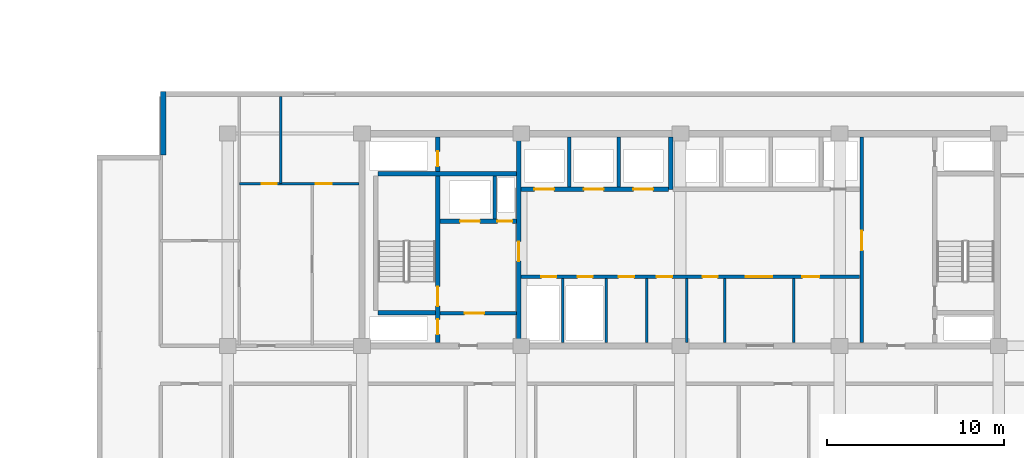
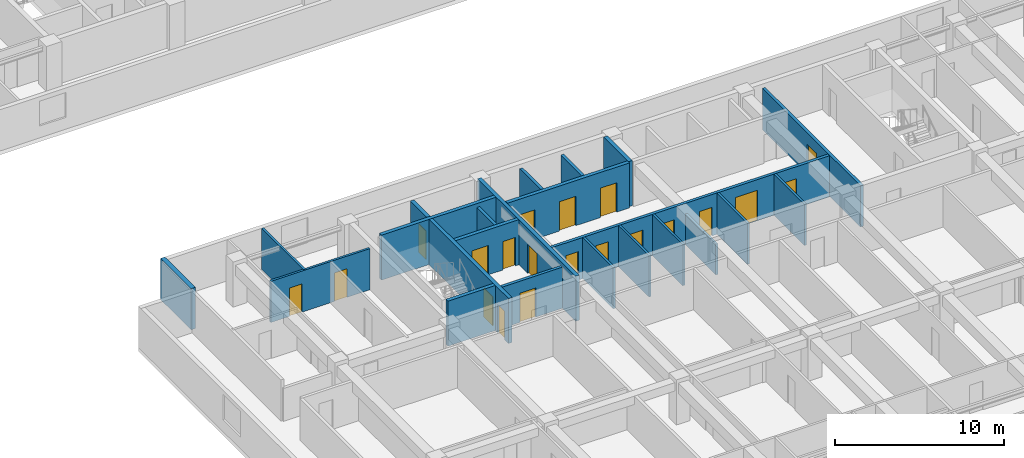
# One storey, part 6 of 23: 22 walls, 20 doors, 20 openings.
"""IFC4 building model written with IfcOpenShell, lengths in metres."""

from ifc_helpers import new_model, si_unit, direction, frame, frame_2d, origin, place, context, subcontext, project, spatial, rectangle, extrude, material, layer, layer_set, type_object, element, fill, save


model = new_model("IFC4")

# Units and contexts
model_context = context("Model", 3, precision=1e-05, world=origin(), true_north=direction((0.0, 1.0)))
body_context = subcontext(model_context, "Body", "Model", "MODEL_VIEW")
ifc_project = project(units=[si_unit("LENGTHUNIT", "METRE"), si_unit("AREAUNIT", "SQUARE_METRE"), si_unit("VOLUMEUNIT", "CUBIC_METRE"), si_unit("PLANEANGLEUNIT", "RADIAN"), si_unit("MASSUNIT", "GRAM", prefix="KILO")], contexts=[model_context])

# Site, building, storey
site_placement = place(None, origin())
site = spatial("IfcSite", under=ifc_project, at=site_placement, CompositionType="ELEMENT")
building_placement = place(site_placement, origin())
building = spatial("IfcBuilding", under=site, at=building_placement, Name="Korimba Cascade Residences", CompositionType="ELEMENT")
storey_placement = place(building_placement, frame((0.0, 0.0, 46.75)))
storey = spatial("IfcBuildingStorey", under=building, at=storey_placement, Name="L12", CompositionType="ELEMENT", Elevation=46.75)

# Walls
ifc_material_1 = material(Name="Precast concrete C40/50", Category="concrete")
ifc_layer_1 = layer(ifc_material_1, 0.300048828125)
ifc_layer_set_1 = layer_set([ifc_layer_1], Name="Precast concrete C40/50")
wall_type_1 = type_object("IfcWallType", Name="EW-STONE-300", PredefinedType="STANDARD", material=ifc_layer_set_1)
wall_1_placement = place(storey_placement, frame((70.85009765625, 32.800048828125, 0.0), z_axis=(0.0, 0.0, 1.0), x_axis=(0.0, -1.0, 0.0)))
element("IfcWall", 1, at=wall_1_placement, inside=storey, type_object=wall_type_1, Name="L12 T2 Perimeter Stone Wall E07", PredefinedType="STANDARD", context=body_context, shape_type="SweptSolid", body=[
    extrude(rectangle(XDim=3.60009765625, YDim=0.300048828125, at=frame_2d((1.800048828125, 0.0))), origin(), (0.0, 0.0, 1.0), 2.969970703125),
])
ifc_material_2 = material(Name="Insulated Acoustic Stud Partition", Category="gypsum")
ifc_layer_2 = layer(ifc_material_2, 0.14990234375)
ifc_layer_set_2 = layer_set([ifc_layer_2], Name="Insulated Acoustic Stud Partition")
wall_type_2 = type_object("IfcWallType", Name="WAL-PART-150", PredefinedType="PARTITIONING", material=ifc_layer_set_2)
for number, where, z_axis, x_axis, name in (
    (2, (93.449951171875, 18.60009765625, 0.0), (0.0, 0.0, 1.0), (0.0, 1.0, 0.0), "L12 Partition Wall CW-L12-T2-ERDIV"),
    (3, (95.89990234375, 18.60009765625, 0.0), (0.0, 0.0, 1.0), (0.0, 1.0, 0.0), "L12 Partition Wall CW-L12-T2-PRDIV"),
    (4, (98.199951171875, 18.60009765625, 0.0), (0.0, 0.0, 1.0), (0.0, 1.0, 0.0), "L12 Partition Wall CW-L12-T2-CA1W1"),
):
    element("IfcWall", number, at=place(storey_placement, frame(where, z_axis=z_axis, x_axis=x_axis)), inside=storey, type_object=wall_type_2, Name=name, PredefinedType="PARTITIONING", context=body_context, shape_type="SweptSolid", body=[
        extrude(rectangle(XDim=3.599853515625, YDim=0.14990234375, at=frame_2d((1.7998046875, 0.0))), origin(), (0.0, 0.0, 1.0), 2.969970703125),
    ])
wall_2_placement = place(storey_placement, frame((100.449951171875, 18.60009765625, 0.0), z_axis=(0.0, 0.0, 1.0), x_axis=(0.0, 1.0, 0.0)))
element("IfcWall", 5, at=wall_2_placement, inside=storey, type_object=wall_type_2, Name="L12 Partition Wall CW-L12-T2-CA1W2", PredefinedType="PARTITIONING", context=body_context, shape_type="SweptSolid", body=[
    extrude(rectangle(XDim=3.599853515625, YDim=0.14990234375, at=frame_2d((1.7998046875, 0.0))), origin(), (0.0, 0.0, 1.0), 2.219970703125),
])
for number, where, z_axis, x_axis, name in (
    (6, (102.60009765625, 18.60009765625, 0.0), (0.0, 0.0, 1.0), (0.0, 1.0, 0.0), "L12 Partition Wall CW-L12-T2-THW"),
    (7, (106.5, 18.60009765625, 0.0), (0.0, 0.0, 1.0), (0.0, 1.0, 0.0), "L12 Partition Wall CW-L12-T2-THE"),
):
    element("IfcWall", number, at=place(storey_placement, frame(where, z_axis=z_axis, x_axis=x_axis)), inside=storey, type_object=wall_type_2, Name=name, PredefinedType="PARTITIONING", context=body_context, shape_type="SweptSolid", body=[
        extrude(rectangle(XDim=3.599853515625, YDim=0.14990234375, at=frame_2d((1.7998046875, 0.0))), origin(), (0.0, 0.0, 1.0), 2.969970703125),
    ])
wall_3_placement = place(storey_placement, frame((77.5, 27.570068359375, 0.0), z_axis=(0.0, 0.0, 1.0), x_axis=(0.0, 1.0, 0.0)))
element("IfcWall", 8, at=wall_3_placement, inside=storey, type_object=wall_type_2, Name="L12 Partition Wall WAL-L12-T2-FW-VN", PredefinedType="PARTITIONING", context=body_context, shape_type="SweptSolid", body=[
    extrude(rectangle(XDim=4.929931640625, YDim=0.14990234375, at=frame_2d((2.46484375, 0.0))), origin(), (0.0, 0.0, 1.0), 2.969970703125),
])

# Wall, openings, doors
wall_4_placement = place(storey_placement, frame((75.169921875, 27.570068359375, 0.0), z_axis=(0.0, 0.0, 1.0), x_axis=(1.0, 0.0, 0.0)))
wall_4 = element("IfcWall", 9, at=wall_4_placement, inside=storey, type_object=wall_type_2, Name="L12 Partition Wall WAL-L12-T2-FW-H", PredefinedType="PARTITIONING", context=body_context, shape_type="SweptSolid", body=[
    extrude(rectangle(XDim=6.760009765625, YDim=0.14990234375, at=frame_2d((3.3798828125, 0.0))), origin(), (0.0, 0.0, 1.0), 2.969970703125),
])
opening_1_placement = place(wall_4_placement, frame((1.266357421875, 0.0, 0.0)))
opening_1 = element("IfcOpeningElement", 10, at=opening_1_placement, cuts=wall_4, Name="Opening D-BT1", PredefinedType="OPENING", context=body_context, shape_type="SweptSolid", body=[
    extrude(rectangle(XDim=0.840087890625, YDim=2.0400390625, at=frame_2d((0.419921875, 1.02001953125))), frame((0.0, 0.0849609375, 0.0), z_axis=(0.0, -1.0, 0.0), x_axis=(1.0, 0.0, 0.0)), (0.0, 0.0, 1.0), 0.169921875),
])
opening_2_placement = place(wall_4_placement, frame((4.320068359375, 0.0, 0.0)))
opening_2 = element("IfcOpeningElement", 11, at=opening_2_placement, cuts=wall_4, Name="Opening D-IN2", PredefinedType="OPENING", context=body_context, shape_type="SweptSolid", body=[
    extrude(rectangle(XDim=0.8798828125, YDim=2.06005859375, at=frame_2d((0.43994140625, 1.030029296875))), frame((0.0, 0.0849609375, 0.0), z_axis=(0.0, -1.0, 0.0), x_axis=(1.0, 0.0, 0.0)), (0.0, 0.0, 1.0), 0.169921875),
])
ifc_material_3 = material(Name="Moisture-Resistant Bathroom Timber Door", Category="wood")
door_type_1 = type_object("IfcDoorType", Name="DR-INT-850", OperationType="NOTDEFINED", PredefinedType="DOOR", material=ifc_material_3)
door_1_placement = place(opening_1_placement, origin())
door_1 = element("IfcDoor", 12, at=door_1_placement, inside=storey, type_object=door_type_1, Name="L12-T2-FW Bathroom Door", OperationType="SINGLE_SWING_RIGHT", OverallHeight=2.0400390625, OverallWidth=0.840087890625, PredefinedType="DOOR", context=body_context, shape_type="SweptSolid", body=[
    extrude(rectangle(XDim=0.840087890625, YDim=2.0400390625, at=frame_2d((0.419921875, 1.02001953125))), frame((0.0, 0.02490234375, 0.0), z_axis=(0.0, -1.0, 0.0), x_axis=(1.0, 0.0, 0.0)), (0.0, 0.0, 1.0), 0.050048828125),
])
fill(opening_1, door_1)
ifc_material_4 = material(Name="Acoustic Timber Bedroom Door", Category="wood")
door_type_2 = type_object("IfcDoorType", Name="DR-INT-880", OperationType="NOTDEFINED", PredefinedType="DOOR", material=ifc_material_4)
door_2_placement = place(opening_2_placement, origin())
door_2 = element("IfcDoor", 13, at=door_2_placement, inside=storey, type_object=door_type_2, Name="L12-T2-FW Bedroom Door", OperationType="SINGLE_SWING_LEFT", OverallHeight=2.06005859375, OverallWidth=0.8798828125, PredefinedType="DOOR", context=body_context, shape_type="SweptSolid", body=[
    extrude(rectangle(XDim=0.8798828125, YDim=2.06005859375, at=frame_2d((0.43994140625, 1.030029296875))), frame((0.0, 0.02490234375, 0.0), z_axis=(0.0, -1.0, 0.0), x_axis=(1.0, 0.0, 0.0)), (0.0, 0.0, 1.0), 0.050048828125),
])
fill(opening_2, door_2)

# Wall
ifc_material_5 = material(Name="Concrete C40/50", Category="concrete")
ifc_layer_3 = layer(ifc_material_5, 0.199951171875)
ifc_layer_set_3 = layer_set([ifc_layer_3], Name="Concrete C40/50")
wall_type_3 = type_object("IfcWallType", Name="WAL-PART-200", PredefinedType="PARTITIONING", material=ifc_layer_set_3)
wall_5_placement = place(storey_placement, frame((89.60009765625, 25.580078125, 0.0), z_axis=(0.0, 0.0, 1.0), x_axis=(0.0, 1.0, 0.0)))
element("IfcWall", 14, at=wall_5_placement, inside=storey, type_object=wall_type_3, Name="L12 Partition Wall CW-L12-T2-FFLDIV", PredefinedType="PARTITIONING", context=body_context, shape_type="SweptSolid", body=[
    extrude(rectangle(XDim=2.419921875, YDim=0.199951171875, at=frame_2d((1.2099609375, 0.0))), origin(), (0.0, 0.0, 1.0), 2.969970703125),
])

# Wall, opening, door
wall_6_placement = place(storey_placement, frame((86.5, 20.25, 0.0), z_axis=(0.0, 0.0, 1.0), x_axis=(1.0, 0.0, 0.0)))
wall_6 = element("IfcWall", 15, at=wall_6_placement, inside=storey, type_object=wall_type_3, Name="L12 Partition Wall CW-L12-T2-FFLS", PredefinedType="PARTITIONING", context=body_context, shape_type="SweptSolid", body=[
    extrude(rectangle(XDim=4.320068359375, YDim=0.199951171875, at=frame_2d((2.16015625, 0.0))), origin(), (0.0, 0.0, 1.0), 2.969970703125),
])
opening_3_placement = place(wall_6_placement, frame((1.39990234375, 0.0, 0.0)))
opening_3 = element("IfcOpeningElement", 16, at=opening_3_placement, cuts=wall_6, Name="Opening D-FD1", PredefinedType="OPENING", context=body_context, shape_type="SweptSolid", body=[
    extrude(rectangle(XDim=1.10009765625, YDim=2.10009765625, at=frame_2d((0.550048828125, 1.050048828125))), frame((0.0, 0.10986328125, 0.0), z_axis=(0.0, -1.0, 0.0), x_axis=(1.0, 0.0, 0.0)), (0.0, 0.0, 1.0), 0.219970703125),
])
ifc_material_6 = material(Name="Fire-Rated Steel Core Door", Category="steel")
door_type_3 = type_object("IfcDoorType", Name="DR-FD120-1100", OperationType="NOTDEFINED", PredefinedType="DOOR", material=ifc_material_6)
door_3_placement = place(opening_3_placement, origin())
door_3 = element("IfcDoor", 17, at=door_3_placement, inside=storey, type_object=door_type_3, Name="L12 T2 Firefighting Lobby Door", OperationType="SINGLE_SWING_RIGHT", OverallHeight=2.10009765625, OverallWidth=1.10009765625, PredefinedType="DOOR", context=body_context, shape_type="SweptSolid", body=[
    extrude(rectangle(XDim=1.10009765625, YDim=2.10009765625, at=frame_2d((0.550048828125, 1.050048828125))), frame((0.0, 0.02490234375, 0.0), z_axis=(0.0, -1.0, 0.0), x_axis=(1.0, 0.0, 0.0)), (0.0, 0.0, 1.0), 0.050048828125),
])
fill(opening_3, door_3)

# Walls
for number, where, z_axis, x_axis, name in (
    (18, (93.800048828125, 27.3798828125, 0.0), (0.0, 0.0, 1.0), (0.0, 1.0, 0.0), "L12 Partition Wall CW-L12-T2-B1D1"),
    (19, (96.60009765625, 27.3798828125, 0.0), (0.0, 0.0, 1.0), (0.0, 1.0, 0.0), "L12 Partition Wall CW-L12-T2-B1D2"),
):
    element("IfcWall", number, at=place(storey_placement, frame(where, z_axis=z_axis, x_axis=x_axis)), inside=storey, type_object=wall_type_3, Name=name, PredefinedType="PARTITIONING", context=body_context, shape_type="SweptSolid", body=[
        extrude(rectangle(XDim=2.820068359375, YDim=0.199951171875, at=frame_2d((1.41015625, 0.0))), origin(), (0.0, 0.0, 1.0), 2.969970703125),
    ])

# Wall, openings, doors
wall_7_placement = place(storey_placement, frame((91.080078125, 22.300048828125, 0.0), z_axis=(0.0, 0.0, 1.0), x_axis=(1.0, 0.0, 0.0)))
wall_7 = element("IfcWall", 20, at=wall_7_placement, inside=storey, type_object=wall_type_3, Name="L12 Partition Wall CW-L12-T2-SRVROW", PredefinedType="PARTITIONING", context=body_context, shape_type="SweptSolid", body=[
    extrude(rectangle(XDim=19.139892578125, YDim=0.199951171875, at=frame_2d((9.56982421875, 0.0))), origin(), (0.0, 0.0, 1.0), 2.969970703125),
])
opening_4_placement = place(wall_7_placement, frame((1.14990234375, 0.0, 0.0)))
opening_4 = element("IfcOpeningElement", 21, at=opening_4_placement, cuts=wall_7, Name="Opening D-RS1", PredefinedType="OPENING", context=body_context, shape_type="SweptSolid", body=[
    extrude(rectangle(XDim=0.85009765625, YDim=2.050048828125, at=frame_2d((0.425048828125, 1.02490234375))), frame((0.0, 0.10986328125, 0.0), z_axis=(0.0, -1.0, 0.0), x_axis=(1.0, 0.0, 0.0)), (0.0, 0.0, 1.0), 0.219970703125),
])
opening_5_placement = place(wall_7_placement, frame((3.199951171875, 0.0, 0.0)))
opening_5 = element("IfcOpeningElement", 22, at=opening_5_placement, cuts=wall_7, Name="Opening D-RS1", PredefinedType="OPENING", context=body_context, shape_type="SweptSolid", body=[
    extrude(rectangle(XDim=0.85009765625, YDim=2.050048828125, at=frame_2d((0.425048828125, 1.02490234375))), frame((0.0, 0.10986328125, 0.0), z_axis=(0.0, -1.0, 0.0), x_axis=(1.0, 0.0, 0.0)), (0.0, 0.0, 1.0), 0.219970703125),
])
opening_6_placement = place(wall_7_placement, frame((12.719970703125, 0.0, 0.0)))
opening_6 = element("IfcOpeningElement", 23, at=opening_6_placement, cuts=wall_7, Name="Opening D-FD8", PredefinedType="OPENING", context=body_context, shape_type="SweptSolid", body=[
    extrude(rectangle(XDim=1.5, YDim=2.199951171875, at=frame_2d((0.75, 1.10009765625))), frame((0.0, 0.10986328125, 0.0), z_axis=(0.0, -1.0, 0.0), x_axis=(1.0, 0.0, 0.0)), (0.0, 0.0, 1.0), 0.219970703125),
])
opening_7_placement = place(wall_7_placement, frame((5.52001953125, 0.0, 0.0)))
opening_7 = element("IfcOpeningElement", 24, at=opening_7_placement, cuts=wall_7, Name="Opening D-IN2", PredefinedType="OPENING", context=body_context, shape_type="SweptSolid", body=[
    extrude(rectangle(XDim=0.8798828125, YDim=2.06005859375, at=frame_2d((0.43994140625, 1.030029296875))), frame((0.0, 0.10986328125, 0.0), z_axis=(0.0, -1.0, 0.0), x_axis=(1.0, 0.0, 0.0)), (0.0, 0.0, 1.0), 0.219970703125),
])
opening_8_placement = place(wall_7_placement, frame((7.669921875, 0.0, 0.0)))
opening_8 = element("IfcOpeningElement", 25, at=opening_8_placement, cuts=wall_7, Name="Opening D-IN2", PredefinedType="OPENING", context=body_context, shape_type="SweptSolid", body=[
    extrude(rectangle(XDim=0.8798828125, YDim=2.06005859375, at=frame_2d((0.43994140625, 1.030029296875))), frame((0.0, 0.10986328125, 0.0), z_axis=(0.0, -1.0, 0.0), x_axis=(1.0, 0.0, 0.0)), (0.0, 0.0, 1.0), 0.219970703125),
])
opening_9_placement = place(wall_7_placement, frame((10.27001953125, 0.0, 0.0)))
opening_9 = element("IfcOpeningElement", 26, at=opening_9_placement, cuts=wall_7, Name="Opening D-RS1", PredefinedType="OPENING", context=body_context, shape_type="SweptSolid", body=[
    extrude(rectangle(XDim=0.85009765625, YDim=2.050048828125, at=frame_2d((0.425048828125, 1.02490234375))), frame((0.0, 0.10986328125, 0.0), z_axis=(0.0, -1.0, 0.0), x_axis=(1.0, 0.0, 0.0)), (0.0, 0.0, 1.0), 0.219970703125),
])
opening_10_placement = place(wall_7_placement, frame((15.919921875, 0.0, 0.0)))
opening_10 = element("IfcOpeningElement", 27, at=opening_10_placement, cuts=wall_7, Name="Opening D-AC1", PredefinedType="OPENING", context=body_context, shape_type="SweptSolid", body=[
    extrude(rectangle(XDim=0.9599609375, YDim=2.10009765625, at=frame_2d((0.47998046875, 1.050048828125))), frame((0.0, 0.10986328125, 0.0), z_axis=(0.0, -1.0, 0.0), x_axis=(1.0, 0.0, 0.0)), (0.0, 0.0, 1.0), 0.219970703125),
])
ifc_material_7 = material(Name="Accessible Acoustic Timber WC Door", Category="wood")
door_type_4 = type_object("IfcDoorType", Name="DR-ACC-950", OperationType="NOTDEFINED", PredefinedType="DOOR", material=ifc_material_7)
door_4_placement = place(opening_10_placement, origin())
door_4 = element("IfcDoor", 28, at=door_4_placement, inside=storey, type_object=door_type_4, Name="L12 T2 Accessible Staff WC Door", OperationType="SINGLE_SWING_RIGHT", OverallHeight=2.10009765625, OverallWidth=0.9599609375, PredefinedType="DOOR", context=body_context, shape_type="SweptSolid", body=[
    extrude(rectangle(XDim=0.9599609375, YDim=2.10009765625, at=frame_2d((0.47998046875, 1.050048828125))), frame((0.0, 0.02490234375, 0.0), z_axis=(0.0, -1.0, 0.0), x_axis=(1.0, 0.0, 0.0)), (0.0, 0.0, 1.0), 0.050048828125),
])
fill(opening_10, door_4)
ifc_material_8 = material(Name="Fire-Rated Steel Riser Access Door", Category="steel")
door_type_5 = type_object("IfcDoorType", Name="DR-FD60-850", OperationType="NOTDEFINED", PredefinedType="DOOR", material=ifc_material_8)
door_5_placement = place(opening_4_placement, origin())
door_5 = element("IfcDoor", 29, at=door_5_placement, inside=storey, type_object=door_type_5, Name="L12 T2 Electrical Riser Door", OperationType="SINGLE_SWING_LEFT", OverallHeight=2.050048828125, OverallWidth=0.85009765625, PredefinedType="DOOR", context=body_context, shape_type="SweptSolid", body=[
    extrude(rectangle(XDim=0.85009765625, YDim=2.050048828125, at=frame_2d((0.425048828125, 1.02490234375))), frame((0.0, 0.02490234375, 0.0), z_axis=(0.0, -1.0, 0.0), x_axis=(1.0, 0.0, 0.0)), (0.0, 0.0, 1.0), 0.050048828125),
])
fill(opening_4, door_5)
door_6_placement = place(opening_5_placement, origin())
door_6 = element("IfcDoor", 30, at=door_6_placement, inside=storey, type_object=door_type_5, Name="L12 T2 Plumbing Riser Door", OperationType="SINGLE_SWING_RIGHT", OverallHeight=2.050048828125, OverallWidth=0.85009765625, PredefinedType="DOOR", context=body_context, shape_type="SweptSolid", body=[
    extrude(rectangle(XDim=0.85009765625, YDim=2.050048828125, at=frame_2d((0.425048828125, 1.02490234375))), frame((0.0, 0.02490234375, 0.0), z_axis=(0.0, -1.0, 0.0), x_axis=(1.0, 0.0, 0.0)), (0.0, 0.0, 1.0), 0.050048828125),
])
fill(opening_5, door_6)
door_7_placement = place(opening_9_placement, origin())
door_7 = element("IfcDoor", 31, at=door_7_placement, inside=storey, type_object=door_type_5, Name="L12 T2 IT Room Door", OperationType="SINGLE_SWING_LEFT", OverallHeight=2.050048828125, OverallWidth=0.85009765625, PredefinedType="DOOR", context=body_context, shape_type="SweptSolid", body=[
    extrude(rectangle(XDim=0.85009765625, YDim=2.050048828125, at=frame_2d((0.425048828125, 1.02490234375))), frame((0.0, 0.02490234375, 0.0), z_axis=(0.0, -1.0, 0.0), x_axis=(1.0, 0.0, 0.0)), (0.0, 0.0, 1.0), 0.050048828125),
])
fill(opening_9, door_7)
ifc_material_9 = material(Name="Fire-Rated Glazed Lift Lobby Double Door", Category="glass")
door_type_6 = type_object("IfcDoorType", Name="DR-FD90-1500", OperationType="NOTDEFINED", PredefinedType="DOOR", material=ifc_material_9)
door_8_placement = place(opening_6_placement, origin())
door_8 = element("IfcDoor", 32, at=door_8_placement, inside=storey, type_object=door_type_6, Name="L12 T2 Lift Lobby Foyer Door", OperationType="DOUBLE_DOOR_SINGLE_SWING", OverallHeight=2.199951171875, OverallWidth=1.5, PredefinedType="DOOR", context=body_context, shape_type="SweptSolid", body=[
    extrude(rectangle(XDim=1.5, YDim=2.199951171875, at=frame_2d((0.75, 1.10009765625))), frame((0.0, 0.02490234375, 0.0), z_axis=(0.0, -1.0, 0.0), x_axis=(1.0, 0.0, 0.0)), (0.0, 0.0, 1.0), 0.050048828125),
])
fill(opening_6, door_8)
door_9_placement = place(opening_7_placement, origin())
door_9 = element("IfcDoor", 33, at=door_9_placement, inside=storey, type_object=door_type_2, Name="L12 T2 Cleaners Door", OperationType="SINGLE_SWING_LEFT", OverallHeight=2.06005859375, OverallWidth=0.8798828125, PredefinedType="DOOR", context=body_context, shape_type="SweptSolid", body=[
    extrude(rectangle(XDim=0.8798828125, YDim=2.06005859375, at=frame_2d((0.43994140625, 1.030029296875))), frame((0.0, 0.02490234375, 0.0), z_axis=(0.0, -1.0, 0.0), x_axis=(1.0, 0.0, 0.0)), (0.0, 0.0, 1.0), 0.050048828125),
])
fill(opening_7, door_9)
door_10_placement = place(opening_8_placement, origin())
door_10 = element("IfcDoor", 34, at=door_10_placement, inside=storey, type_object=door_type_2, Name="L12 T2 Pantry Door", OperationType="SINGLE_SWING_RIGHT", OverallHeight=2.06005859375, OverallWidth=0.8798828125, PredefinedType="DOOR", context=body_context, shape_type="SweptSolid", body=[
    extrude(rectangle(XDim=0.8798828125, YDim=2.06005859375, at=frame_2d((0.43994140625, 1.030029296875))), frame((0.0, 0.02490234375, 0.0), z_axis=(0.0, -1.0, 0.0), x_axis=(1.0, 0.0, 0.0)), (0.0, 0.0, 1.0), 0.050048828125),
])
fill(opening_8, door_10)

# Wall, opening, door
wall_8_placement = place(storey_placement, frame((110.35009765625, 18.60009765625, 0.0), z_axis=(0.0, 0.0, 1.0), x_axis=(0.0, 1.0, 0.0)))
wall_8 = element("IfcWall", 35, at=wall_8_placement, inside=storey, type_object=wall_type_3, Name="L12 Partition Wall CW-L12-T2-LLEV", PredefinedType="PARTITIONING", context=body_context, shape_type="SweptSolid", body=[
    extrude(rectangle(XDim=11.599853515625, YDim=0.199951171875, at=frame_2d((5.7998046875, 0.0))), origin(), (0.0, 0.0, 1.0), 2.969970703125),
])
opening_11_placement = place(wall_8_placement, frame((5.199951171875, 0.0, 0.0)))
opening_11 = element("IfcOpeningElement", 36, at=opening_11_placement, cuts=wall_8, Name="Opening D-FD6", PredefinedType="OPENING", context=body_context, shape_type="SweptSolid", body=[
    extrude(rectangle(XDim=1.10009765625, YDim=2.14990234375, at=frame_2d((0.550048828125, 1.074951171875))), frame((0.0, 0.10986328125, 0.0), z_axis=(0.0, -1.0, 0.0), x_axis=(1.0, 0.0, 0.0)), (0.0, 0.0, 1.0), 0.219970703125),
])
ifc_material_10 = material(Name="Fire-Rated Timber Stair Lobby Door", Category="wood")
door_type_7 = type_object("IfcDoorType", Name="DR-FD90-1100", OperationType="NOTDEFINED", PredefinedType="DOOR", material=ifc_material_10)
door_11_placement = place(opening_11_placement, origin())
door_11 = element("IfcDoor", 37, at=door_11_placement, inside=storey, type_object=door_type_7, Name="L12 T2 Lift Lobby to East Stair Lobby Door", OperationType="SINGLE_SWING_LEFT", OverallHeight=2.14990234375, OverallWidth=1.10009765625, PredefinedType="DOOR", context=body_context, shape_type="SweptSolid", body=[
    extrude(rectangle(XDim=1.10009765625, YDim=2.14990234375, at=frame_2d((0.550048828125, 1.074951171875))), frame((0.0, 0.02490234375, 0.0), z_axis=(0.0, -1.0, 0.0), x_axis=(1.0, 0.0, 0.0)), (0.0, 0.0, 1.0), 0.050048828125),
])
fill(opening_11, door_11)

# Wall, openings, doors
ifc_material_11 = material(Name="Concrete C50/60", Category="concrete")
ifc_layer_4 = layer(ifc_material_11, 0.25)
ifc_layer_set_4 = layer_set([ifc_layer_4], Name="Concrete C50/60")
wall_type_4 = type_object("IfcWallType", Name="WAL-SHAFT-250", PredefinedType="SHEAR", material=ifc_layer_set_4)
wall_9_placement = place(storey_placement, frame((86.364990234375, 18.60009765625, 0.0), z_axis=(0.0, 0.0, 1.0), x_axis=(0.0, 1.0, 0.0)))
wall_9 = element("IfcWall", 38, at=wall_9_placement, inside=storey, type_object=wall_type_4, Name="L12 Core Shear Wall CW-L12-T2-STE1E", PredefinedType="SHEAR", context=body_context, shape_type="SweptSolid", body=[
    extrude(rectangle(XDim=11.599853515625, YDim=0.25, at=frame_2d((5.7998046875, 0.0))), origin(), (0.0, 0.0, 1.0), 3.25),
])
opening_12_placement = place(wall_9_placement, frame((0.449951171875, 0.0, 0.0)))
opening_12 = element("IfcOpeningElement", 39, at=opening_12_placement, cuts=wall_9, Name="Opening D-RS1", PredefinedType="OPENING", context=body_context, shape_type="SweptSolid", body=[
    extrude(rectangle(XDim=0.85009765625, YDim=2.050048828125, at=frame_2d((0.425048828125, 1.02490234375))), frame((0.0, 0.135009765625, 0.0), z_axis=(0.0, -1.0, 0.0), x_axis=(1.0, 0.0, 0.0)), (0.0, 0.0, 1.0), 0.27001953125),
])
opening_13_placement = place(wall_9_placement, frame((2.050048828125, 0.0, 0.0)))
opening_13 = element("IfcOpeningElement", 40, at=opening_13_placement, cuts=wall_9, Name="Opening D-FD1", PredefinedType="OPENING", context=body_context, shape_type="SweptSolid", body=[
    extrude(rectangle(XDim=1.10009765625, YDim=2.10009765625, at=frame_2d((0.550048828125, 1.050048828125))), frame((0.0, 0.135009765625, 0.0), z_axis=(0.0, -1.0, 0.0), x_axis=(1.0, 0.0, 0.0)), (0.0, 0.0, 1.0), 0.27001953125),
])
opening_14_placement = place(wall_9_placement, frame((9.949951171875, 0.0, 0.0)))
opening_14 = element("IfcOpeningElement", 41, at=opening_14_placement, cuts=wall_9, Name="Opening D-RS1", PredefinedType="OPENING", context=body_context, shape_type="SweptSolid", body=[
    extrude(rectangle(XDim=0.85009765625, YDim=2.050048828125, at=frame_2d((0.425048828125, 1.02490234375))), frame((0.0, 0.135009765625, 0.0), z_axis=(0.0, -1.0, 0.0), x_axis=(1.0, 0.0, 0.0)), (0.0, 0.0, 1.0), 0.27001953125),
])
door_12_placement = place(opening_13_placement, origin())
door_12 = element("IfcDoor", 42, at=door_12_placement, inside=storey, type_object=door_type_3, Name="L12 Fire Stair ST-E1 Door", OperationType="SINGLE_SWING_LEFT", OverallHeight=2.10009765625, OverallWidth=1.10009765625, PredefinedType="DOOR", context=body_context, shape_type="SweptSolid", body=[
    extrude(rectangle(XDim=1.10009765625, YDim=2.10009765625, at=frame_2d((0.550048828125, 1.050048828125))), frame((0.0, 0.02490234375, 0.0), z_axis=(0.0, -1.0, 0.0), x_axis=(1.0, 0.0, 0.0)), (0.0, 0.0, 1.0), 0.050048828125),
])
fill(opening_13, door_12)
door_13_placement = place(opening_12_placement, origin())
door_13 = element("IfcDoor", 43, at=door_13_placement, inside=storey, type_object=door_type_5, Name="L12 T2 Hydrant Riser Door", OperationType="SINGLE_SWING_RIGHT", OverallHeight=2.050048828125, OverallWidth=0.85009765625, PredefinedType="DOOR", context=body_context, shape_type="SweptSolid", body=[
    extrude(rectangle(XDim=0.85009765625, YDim=2.050048828125, at=frame_2d((0.425048828125, 1.02490234375))), frame((0.0, 0.02490234375, 0.0), z_axis=(0.0, -1.0, 0.0), x_axis=(1.0, 0.0, 0.0)), (0.0, 0.0, 1.0), 0.050048828125),
])
fill(opening_12, door_13)
door_14_placement = place(opening_14_placement, origin())
door_14 = element("IfcDoor", 44, at=door_14_placement, inside=storey, type_object=door_type_5, Name="L12 T2 Smoke Shaft Door", OperationType="SINGLE_SWING_RIGHT", OverallHeight=2.050048828125, OverallWidth=0.85009765625, PredefinedType="DOOR", context=body_context, shape_type="SweptSolid", body=[
    extrude(rectangle(XDim=0.85009765625, YDim=2.050048828125, at=frame_2d((0.425048828125, 1.02490234375))), frame((0.0, 0.02490234375, 0.0), z_axis=(0.0, -1.0, 0.0), x_axis=(1.0, 0.0, 0.0)), (0.0, 0.0, 1.0), 0.050048828125),
])
fill(opening_14, door_14)

# Walls
wall_10_placement = place(storey_placement, frame((83.0, 20.27490234375, 0.0), z_axis=(0.0, 0.0, 1.0), x_axis=(1.0, 0.0, 0.0)))
element("IfcWall", 45, at=wall_10_placement, inside=storey, type_object=wall_type_4, Name="L12 Core Shear Wall CW-L12-T2-STE1S", PredefinedType="SHEAR", context=body_context, shape_type="SweptSolid", body=[
    extrude(rectangle(XDim=3.239990234375, YDim=0.25, at=frame_2d((1.6201171875, 0.0))), origin(), (0.0, 0.0, 1.0), 3.25),
])
wall_11_placement = place(storey_placement, frame((83.0, 28.125, 0.0), z_axis=(0.0, 0.0, 1.0), x_axis=(1.0, 0.0, 0.0)))
element("IfcWall", 46, at=wall_11_placement, inside=storey, type_object=wall_type_4, Name="L12 Core Shear Wall CW-L12-T2-STE1N", PredefinedType="SHEAR", context=body_context, shape_type="SweptSolid", body=[
    extrude(rectangle(XDim=7.820068359375, YDim=0.25, at=frame_2d((3.91015625, 0.0))), origin(), (0.0, 0.0, 1.0), 3.25),
])

# Wall, openings, doors
wall_12_placement = place(storey_placement, frame((86.5, 25.449951171875, 0.0), z_axis=(0.0, 0.0, 1.0), x_axis=(1.0, 0.0, 0.0)))
wall_12 = element("IfcWall", 47, at=wall_12_placement, inside=storey, type_object=wall_type_4, Name="L12 Core Shear Wall CW-L12-T2-FFLN", PredefinedType="SHEAR", context=body_context, shape_type="SweptSolid", body=[
    extrude(rectangle(XDim=4.320068359375, YDim=0.25, at=frame_2d((2.16015625, 0.0))), origin(), (0.0, 0.0, 1.0), 3.25),
])
opening_15_placement = place(wall_12_placement, frame((1.139892578125, 0.0, 0.0)))
opening_15 = element("IfcOpeningElement", 48, at=opening_15_placement, cuts=wall_12, Name="Opening LD-01", PredefinedType="OPENING", context=body_context, shape_type="SweptSolid", body=[
    extrude(rectangle(XDim=1.1201171875, YDim=2.1201171875, at=frame_2d((0.56005859375, 1.06005859375))), frame((0.0, 0.135009765625, 0.0), z_axis=(0.0, -1.0, 0.0), x_axis=(1.0, 0.0, 0.0)), (0.0, 0.0, 1.0), 0.27001953125),
])
opening_16_placement = place(wall_12_placement, frame((3.25, 0.0, 0.0)))
opening_16 = element("IfcOpeningElement", 49, at=opening_16_placement, cuts=wall_12, Name="Opening D-RS1", PredefinedType="OPENING", context=body_context, shape_type="SweptSolid", body=[
    extrude(rectangle(XDim=0.85009765625, YDim=2.050048828125, at=frame_2d((0.425048828125, 1.02490234375))), frame((0.0, 0.135009765625, 0.0), z_axis=(0.0, -1.0, 0.0), x_axis=(1.0, 0.0, 0.0)), (0.0, 0.0, 1.0), 0.27001953125),
])
door_15_placement = place(opening_16_placement, origin())
door_15 = element("IfcDoor", 50, at=door_15_placement, inside=storey, type_object=door_type_5, Name="L12 T2 Pressurisation Riser Door", OperationType="SINGLE_SWING_LEFT", OverallHeight=2.050048828125, OverallWidth=0.85009765625, PredefinedType="DOOR", context=body_context, shape_type="SweptSolid", body=[
    extrude(rectangle(XDim=0.85009765625, YDim=2.050048828125, at=frame_2d((0.425048828125, 1.02490234375))), frame((0.0, 0.02490234375, 0.0), z_axis=(0.0, -1.0, 0.0), x_axis=(1.0, 0.0, 0.0)), (0.0, 0.0, 1.0), 0.050048828125),
])
fill(opening_16, door_15)
ifc_material_12 = material(Name="Stainless Steel Lift Landing Sliding Door", Category="steel")
door_type_8 = type_object("IfcDoorType", Name="DR-LIFT-1100", OperationType="NOTDEFINED", PredefinedType="DOOR", material=ifc_material_12)
door_16_placement = place(opening_15_placement, origin())
door_16 = element("IfcDoor", 51, at=door_16_placement, inside=storey, type_object=door_type_8, Name="L12 Firefighting Lift Landing Door FFL-E1", OperationType="SLIDING_TO_RIGHT", OverallHeight=2.1201171875, OverallWidth=1.1201171875, PredefinedType="DOOR", context=body_context, shape_type="SweptSolid", body=[
    extrude(rectangle(XDim=1.1201171875, YDim=2.1201171875, at=frame_2d((0.56005859375, 1.06005859375))), frame((0.0, 0.02490234375, 0.0), z_axis=(0.0, -1.0, 0.0), x_axis=(1.0, 0.0, 0.0)), (0.0, 0.0, 1.0), 0.050048828125),
])
fill(opening_15, door_16)

# Wall, opening, door
wall_13_placement = place(storey_placement, frame((90.949951171875, 18.60009765625, 0.0), z_axis=(0.0, 0.0, 1.0), x_axis=(0.0, 1.0, 0.0)))
wall_13 = element("IfcWall", 52, at=wall_13_placement, inside=storey, type_object=wall_type_4, Name="L12 Core Shear Wall CW-L12-T2-FFLE", PredefinedType="SHEAR", context=body_context, shape_type="SweptSolid", body=[
    extrude(rectangle(XDim=11.599853515625, YDim=0.25, at=frame_2d((5.7998046875, 0.0))), origin(), (0.0, 0.0, 1.0), 3.25),
])
opening_17_placement = place(wall_13_placement, frame((4.60009765625, 0.0, 0.0)))
opening_17 = element("IfcOpeningElement", 53, at=opening_17_placement, cuts=wall_13, Name="Opening D-FD1", PredefinedType="OPENING", context=body_context, shape_type="SweptSolid", body=[
    extrude(rectangle(XDim=1.10009765625, YDim=2.10009765625, at=frame_2d((0.550048828125, 1.050048828125))), frame((0.0, 0.135009765625, 0.0), z_axis=(0.0, -1.0, 0.0), x_axis=(1.0, 0.0, 0.0)), (0.0, 0.0, 1.0), 0.27001953125),
])
door_17_placement = place(opening_17_placement, origin())
door_17 = element("IfcDoor", 54, at=door_17_placement, inside=storey, type_object=door_type_3, Name="L12 T2 Firefighting Lobby to Lift Lobby Door", OperationType="SINGLE_SWING_LEFT", OverallHeight=2.10009765625, OverallWidth=1.10009765625, PredefinedType="DOOR", context=body_context, shape_type="SweptSolid", body=[
    extrude(rectangle(XDim=1.10009765625, YDim=2.10009765625, at=frame_2d((0.550048828125, 1.050048828125))), frame((0.0, 0.02490234375, 0.0), z_axis=(0.0, -1.0, 0.0), x_axis=(1.0, 0.0, 0.0)), (0.0, 0.0, 1.0), 0.050048828125),
])
fill(opening_17, door_17)

# Wall, openings, doors
wall_14_placement = place(storey_placement, frame((91.080078125, 27.25, 0.0), z_axis=(0.0, 0.0, 1.0), x_axis=(1.0, 0.0, 0.0)))
wall_14 = element("IfcWall", 55, at=wall_14_placement, inside=storey, type_object=wall_type_4, Name="L12 Core Shear Wall CW-L12-T2-B1S", PredefinedType="SHEAR", context=body_context, shape_type="SweptSolid", body=[
    extrude(rectangle(XDim=8.33984375, YDim=0.25, at=frame_2d((4.169921875, 0.0))), origin(), (0.0, 0.0, 1.0), 3.25),
])
opening_18_placement = place(wall_14_placement, frame((0.760009765625, 0.0, 0.0)))
opening_18 = element("IfcOpeningElement", 56, at=opening_18_placement, cuts=wall_14, Name="Opening LD-01", PredefinedType="OPENING", context=body_context, shape_type="SweptSolid", body=[
    extrude(rectangle(XDim=1.1201171875, YDim=2.1201171875, at=frame_2d((0.56005859375, 1.06005859375))), frame((0.0, 0.135009765625, 0.0), z_axis=(0.0, -1.0, 0.0), x_axis=(1.0, 0.0, 0.0)), (0.0, 0.0, 1.0), 0.27001953125),
])
opening_19_placement = place(wall_14_placement, frame((3.56005859375, 0.0, 0.0)))
opening_19 = element("IfcOpeningElement", 57, at=opening_19_placement, cuts=wall_14, Name="Opening LD-01", PredefinedType="OPENING", context=body_context, shape_type="SweptSolid", body=[
    extrude(rectangle(XDim=1.1201171875, YDim=2.1201171875, at=frame_2d((0.56005859375, 1.06005859375))), frame((0.0, 0.135009765625, 0.0), z_axis=(0.0, -1.0, 0.0), x_axis=(1.0, 0.0, 0.0)), (0.0, 0.0, 1.0), 0.27001953125),
])
opening_20_placement = place(wall_14_placement, frame((6.360107421875, 0.0, 0.0)))
opening_20 = element("IfcOpeningElement", 58, at=opening_20_placement, cuts=wall_14, Name="Opening LD-01", PredefinedType="OPENING", context=body_context, shape_type="SweptSolid", body=[
    extrude(rectangle(XDim=1.1201171875, YDim=2.1201171875, at=frame_2d((0.56005859375, 1.06005859375))), frame((0.0, 0.135009765625, 0.0), z_axis=(0.0, -1.0, 0.0), x_axis=(1.0, 0.0, 0.0)), (0.0, 0.0, 1.0), 0.27001953125),
])
door_18_placement = place(opening_18_placement, origin())
door_18 = element("IfcDoor", 59, at=door_18_placement, inside=storey, type_object=door_type_8, Name="L12 Lift Landing Door PL-E1", OperationType="SLIDING_TO_LEFT", OverallHeight=2.1201171875, OverallWidth=1.1201171875, PredefinedType="DOOR", context=body_context, shape_type="SweptSolid", body=[
    extrude(rectangle(XDim=1.1201171875, YDim=2.1201171875, at=frame_2d((0.56005859375, 1.06005859375))), frame((0.0, 0.02490234375, 0.0), z_axis=(0.0, -1.0, 0.0), x_axis=(1.0, 0.0, 0.0)), (0.0, 0.0, 1.0), 0.050048828125),
])
fill(opening_18, door_18)
door_19_placement = place(opening_19_placement, origin())
door_19 = element("IfcDoor", 60, at=door_19_placement, inside=storey, type_object=door_type_8, Name="L12 Lift Landing Door PL-E2", OperationType="SLIDING_TO_LEFT", OverallHeight=2.1201171875, OverallWidth=1.1201171875, PredefinedType="DOOR", context=body_context, shape_type="SweptSolid", body=[
    extrude(rectangle(XDim=1.1201171875, YDim=2.1201171875, at=frame_2d((0.56005859375, 1.06005859375))), frame((0.0, 0.02490234375, 0.0), z_axis=(0.0, -1.0, 0.0), x_axis=(1.0, 0.0, 0.0)), (0.0, 0.0, 1.0), 0.050048828125),
])
fill(opening_19, door_19)
door_20_placement = place(opening_20_placement, origin())
door_20 = element("IfcDoor", 61, at=door_20_placement, inside=storey, type_object=door_type_8, Name="L12 Lift Landing Door PL-E3", OperationType="SLIDING_TO_LEFT", OverallHeight=2.1201171875, OverallWidth=1.1201171875, PredefinedType="DOOR", context=body_context, shape_type="SweptSolid", body=[
    extrude(rectangle(XDim=1.1201171875, YDim=2.1201171875, at=frame_2d((0.56005859375, 1.06005859375))), frame((0.0, 0.02490234375, 0.0), z_axis=(0.0, -1.0, 0.0), x_axis=(1.0, 0.0, 0.0)), (0.0, 0.0, 1.0), 0.050048828125),
])
fill(opening_20, door_20)

# Wall
wall_15_placement = place(storey_placement, frame((99.550048828125, 27.25, 0.0), z_axis=(0.0, 0.0, 1.0), x_axis=(0.0, 1.0, 0.0)))
element("IfcWall", 62, at=wall_15_placement, inside=storey, type_object=wall_type_4, Name="L12 Core Shear Wall CW-L12-T2-B12DIV", PredefinedType="SHEAR", context=body_context, shape_type="SweptSolid", body=[
    extrude(rectangle(XDim=2.949951171875, YDim=0.25, at=frame_2d((1.47509765625, 0.0))), origin(), (0.0, 0.0, 1.0), 3.25),
])

save(model, "model.ifc")
